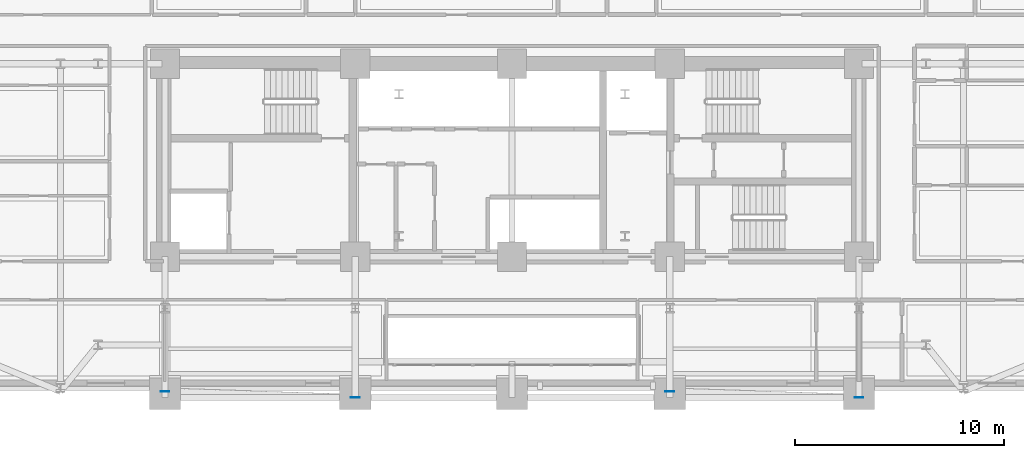
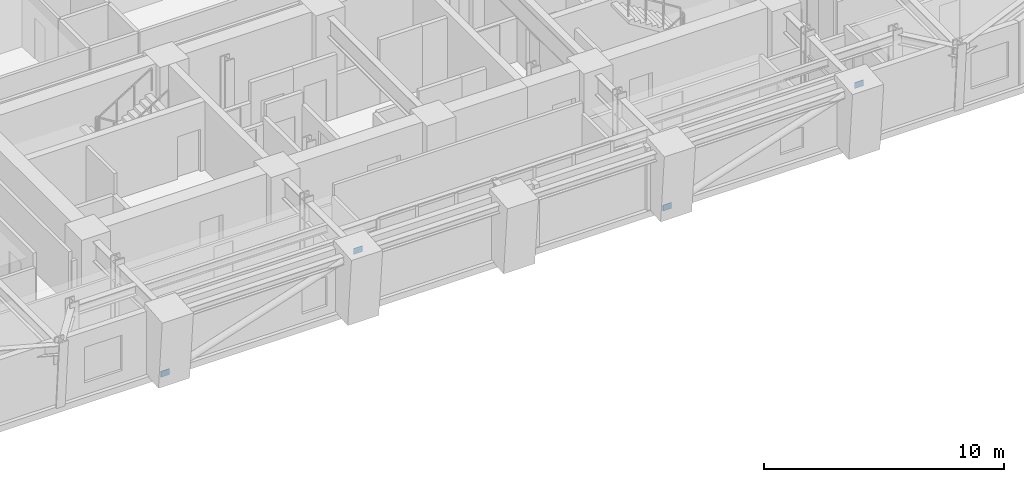
# One storey, part 7 of 16: 4 plates.
"""IFC4 building model written with IfcOpenShell, lengths in metres."""

import ifcopenshell
import ifcopenshell.guid

model = None  # the IFC model being written
_history = None  # IfcOwnerHistory: only IFC2X3 demands one
_inside = {}  # id of a spatial element -> (the spatial element, [elements in it])
_under = {}  # id of a project, library or spatial element -> (it, [spatial elements below it])
_declared = {}  # id of a project -> (the project, [libraries it declares])
_typed = {}  # id of a type object -> (the type object, [elements of that type])
_made_of = {}  # id of a material, layer set ... -> (it, [elements and type objects made of it])


def new_model(schema):
    """Start an empty IFC model of exactly this schema.

    Asked for "IFC4X3", IfcOpenShell would pick the latest addendum, in which some entities
    have other attributes; the version numbers below select the first issue.
    IFC2X3 requires an IfcOwnerHistory on every rooted entity: one is made here for all.
    """
    global model, _history
    if schema == "IFC4X3":
        model = ifcopenshell.file(schema_version=(4, 3, 0, 0))
    else:
        model = ifcopenshell.file(schema=schema)
    _inside.clear()
    _under.clear()
    _declared.clear()
    _typed.clear()
    _made_of.clear()
    _history = None
    if model.schema == "IFC2X3":
        org = make("IfcOrganization", Name="unknown")
        user = make(
            "IfcPersonAndOrganization",
            ThePerson=make("IfcPerson", FamilyName="unknown"),
            TheOrganization=org,
        )
        app = make(
            "IfcApplication",
            ApplicationDeveloper=org,
            Version="unknown",
            ApplicationFullName="unknown",
            ApplicationIdentifier="unknown",
        )
        _history = make(
            "IfcOwnerHistory",
            OwningUser=user,
            OwningApplication=app,
            ChangeAction="ADDED",
            CreationDate=0,
        )
    return model


def make(cls, **values):
    """One entity of the class cls with the attributes given. An attribute that is None is left unset."""
    return model.create_entity(
        cls, **{name: value for name, value in values.items() if value is not None}
    )


def rooted(cls, **values):
    """An entity with a GlobalId (a new one), such as an element, a storey or a relation."""
    return make(cls, GlobalId=ifcopenshell.guid.new(), OwnerHistory=_history, **values)


def si_unit(unit_type, name, prefix=None):
    """IfcSIUnit, for example si_unit("LENGTHUNIT", "METRE", prefix="MILLI")."""
    return make("IfcSIUnit", UnitType=unit_type, Prefix=prefix, Name=name)


def assignment(units):
    """IfcUnitAssignment: the units of a project."""
    return None if units is None else make("IfcUnitAssignment", Units=units)


def point(xyz):
    """IfcCartesianPoint."""
    return None if xyz is None else make("IfcCartesianPoint", Coordinates=xyz)


def direction(xyz):
    """IfcDirection."""
    return None if xyz is None else make("IfcDirection", DirectionRatios=xyz)


def frame(location, z_axis=None, x_axis=None):
    """IfcAxis2Placement3D, a coordinate frame: its origin and axes. An axis left out is left unset."""
    return make(
        "IfcAxis2Placement3D",
        Location=point(location),
        Axis=direction(z_axis),
        RefDirection=direction(x_axis),
    )


def frame_2d(location, x_axis=None):
    """IfcAxis2Placement2D, a coordinate frame in the plane: its origin and x axis."""
    return make(
        "IfcAxis2Placement2D", Location=point(location), RefDirection=direction(x_axis)
    )


def origin():
    """The frame at (0, 0, 0) with its axes left unset."""
    return frame((0.0, 0.0, 0.0))


def origin_2d():
    """The frame at (0, 0) in the plane with its x axis left unset."""
    return frame_2d((0.0, 0.0))


def place(relative_to, where):
    """IfcLocalPlacement: puts the frame where relative to a parent placement (None: the world)."""
    return make(
        "IfcLocalPlacement", PlacementRelTo=relative_to, RelativePlacement=where
    )


def context(
    kind, dimensions, precision=None, world=None, true_north=None, identifier=None
):
    """IfcGeometricRepresentationContext, for example the 3D "Model" context."""
    return make(
        "IfcGeometricRepresentationContext",
        ContextIdentifier=identifier,
        ContextType=kind,
        CoordinateSpaceDimension=dimensions,
        Precision=precision,
        WorldCoordinateSystem=world,
        TrueNorth=true_north,
    )


def subcontext(parent, identifier, kind, view, scale=None):
    """IfcGeometricRepresentationSubContext, for example "Body" below "Model"."""
    return make(
        "IfcGeometricRepresentationSubContext",
        ContextIdentifier=identifier,
        ContextType=kind,
        ParentContext=parent,
        TargetScale=scale,
        TargetView=view,
    )


def project(units=None, contexts=None):
    """IfcProject with its units and contexts."""
    return rooted(
        "IfcProject",
        Name="project",
        RepresentationContexts=contexts,
        UnitsInContext=assignment(units),
    )


def spatial(cls, under=None, at=None, **own):
    """A site, building, storey or space (cls), placed at a placement, below another one or the project."""
    s = rooted(cls, ObjectPlacement=at, **own)
    if under is not None:
        _under.setdefault(under.id(), (under, []))[1].append(s)
    return s


def profile(cls, at=None, kind="AREA", **sizes):
    """A parametric profile (cls). Its sizes go by their IFC names, for example OverallWidth=200.0."""
    return make(cls, ProfileType=kind, Position=at, **sizes)


def rectangle(**sizes):
    """IfcRectangleProfileDef."""
    return profile("IfcRectangleProfileDef", **sizes)


def extrude(swept, where, along, depth):
    """IfcExtrudedAreaSolid: the profile swept, set in the frame where, extruded along a direction by depth."""
    return make(
        "IfcExtrudedAreaSolid",
        SweptArea=swept,
        Position=where,
        ExtrudedDirection=direction(along),
        Depth=depth,
    )


def shape(context_of_items, identifier, shape_type, items):
    """IfcShapeRepresentation: the items that make up one representation, for example the "Body"."""
    return make(
        "IfcShapeRepresentation",
        ContextOfItems=context_of_items,
        RepresentationIdentifier=identifier,
        RepresentationType=shape_type,
        Items=items,
    )


def material(Name=None, Category=None):
    """IfcMaterial."""
    return make("IfcMaterial", Name=Name, Category=Category)


def layer(
    of_material, thickness, ventilated=None, Name=None, Category=None, Priority=None
):
    """IfcMaterialLayer: one layer of a wall or slab, of a material (None: an air gap)."""
    return make(
        "IfcMaterialLayer",
        Material=of_material,
        LayerThickness=thickness,
        IsVentilated=ventilated,
        Name=Name,
        Category=Category,
        Priority=Priority,
    )


def layer_set(layers, Name=None):
    """IfcMaterialLayerSet."""
    return make("IfcMaterialLayerSet", MaterialLayers=layers, LayerSetName=Name)


def made_of(thing, what):
    """Note that an element or type object is made of a material, layer set ...; save() writes the relation."""
    if what is not None:
        _made_of.setdefault(what.id(), (what, []))[1].append(thing)
    return thing


def type_object(cls, material=None, **own):
    """A type object (cls), such as IfcWallType, which elements share."""
    return made_of(rooted(cls, **own), material)


def element(
    cls,
    number,
    at=None,
    inside=None,
    cuts=None,
    type_object=None,
    material=None,
    context=None,
    identifier="Body",
    shape_type=None,
    held_by="IfcProductDefinitionShape",
    body=None,
    shapes=None,
    **own,
):
    """One element of the class cls, such as IfcWall. Its Tag is "e" and its number.

    at: its placement. inside: the storey or other place that contains it. cuts: it is an
    opening in that element (IfcRelVoidsElement). A single representation is given by context,
    identifier, shape_type and body (its items); several are given by shapes. held_by: the class
    of the entity that holds the representations. save() writes the other relations.
    """
    e = rooted(cls, Tag="e%d" % number, ObjectPlacement=at, **own)
    if body is not None:
        shapes = [shape(context, identifier, shape_type, body)]
    if shapes is not None:
        e.Representation = make(held_by, Representations=shapes)
    if inside is not None:
        _inside.setdefault(inside.id(), (inside, []))[1].append(e)
    if cuts is not None:
        rooted(
            "IfcRelVoidsElement", RelatingBuildingElement=cuts, RelatedOpeningElement=e
        )
    if type_object is not None:
        _typed.setdefault(type_object.id(), (type_object, []))[1].append(e)
    return made_of(e, material)


def aggregate(whole, parts):
    """IfcRelAggregates: a whole, such as a stair, and the parts it consists of."""
    return rooted("IfcRelAggregates", RelatingObject=whole, RelatedObjects=parts)


def save(model, path):
    """Write the relations noted so far, then the file.

    IfcRelAggregates (storeys below a building ...), IfcRelContainedInSpatialStructure (elements
    in a storey), IfcRelDefinesByType, IfcRelAssociatesMaterial and IfcRelDeclares: one each for
    every whole, place, type object, material and project.
    """
    for whole, parts in _under.values():
        aggregate(whole, parts)
    for where, things in _inside.values():
        rooted(
            "IfcRelContainedInSpatialStructure",
            RelatedElements=things,
            RelatingStructure=where,
        )
    for kind, things in _typed.values():
        rooted("IfcRelDefinesByType", RelatedObjects=things, RelatingType=kind)
    for what, things in _made_of.values():
        rooted("IfcRelAssociatesMaterial", RelatedObjects=things, RelatingMaterial=what)
    for by, libraries in _declared.values():
        rooted("IfcRelDeclares", RelatingContext=by, RelatedDefinitions=libraries)
    model.write(path)


model = new_model("IFC4")

# Units and contexts
model_context = context("Model", 3, precision=1e-05, world=origin(), true_north=direction((0.0, 1.0)))
body_context = subcontext(model_context, "Body", "Model", "MODEL_VIEW")
ifc_project = project(units=[si_unit("LENGTHUNIT", "METRE"), si_unit("AREAUNIT", "SQUARE_METRE"), si_unit("VOLUMEUNIT", "CUBIC_METRE"), si_unit("PLANEANGLEUNIT", "RADIAN"), si_unit("MASSUNIT", "GRAM", prefix="KILO")], contexts=[model_context])

# Site, building, storey
site_placement = place(None, origin())
site = spatial("IfcSite", under=ifc_project, at=site_placement, CompositionType="ELEMENT")
building_placement = place(site_placement, origin())
building = spatial("IfcBuilding", under=site, at=building_placement, Name="Zarnavel Station Tower", CompositionType="ELEMENT")
storey_placement = place(building_placement, frame((0.0, 0.0, 53.5)))
storey = spatial("IfcBuildingStorey", under=building, at=storey_placement, Name="L14", CompositionType="ELEMENT", Elevation=53.5)

# Plates
ifc_material = material(Name="Steel S460M", Category="steel")
ifc_layer = layer(ifc_material, 0.02490234375)
ifc_layer_set = layer_set([ifc_layer], Name="GP_GUSSET_25")
plate_type = type_object("IfcPlateType", Name="GP_GUSSET_25", PredefinedType="USERDEFINED", material=ifc_layer_set)
for number, where, z_axis, x_axis, name in (
    (1, (12.199951171875, 21.3798828125, -0.14990234375), (0.0, 0.0, 1.0), (1.0, 0.0, 0.0), "L14 Exterior Diagonal Brace End Gusset 1-1"),
    (2, (21.300048828125, 21.086181640625, 3.08984375), (0.0, 0.0, 1.0), (1.0, 0.0, 0.0), "L14 Exterior Diagonal Brace End Gusset 1-2"),
    (3, (36.35009765625, 21.3798828125, -0.14990234375), (0.0, 0.0, 1.0), (1.0, 0.0, 0.0), "L14 Exterior Diagonal Brace End Gusset 2-1"),
    (4, (45.39990234375, 21.086181640625, 3.08984375), (0.0, 0.0, 1.0), (1.0, 0.0, 0.0), "L14 Exterior Diagonal Brace End Gusset 2-2"),
):
    element("IfcPlate", number, at=place(storey_placement, frame(where, z_axis=z_axis, x_axis=x_axis)), inside=storey, type_object=plate_type, Name=name, ObjectType="GUSSET_PLATE", PredefinedType="USERDEFINED", context=body_context, shape_type="SweptSolid", body=[
        extrude(rectangle(XDim=0.419921875, YDim=0.02490234375, at=origin_2d()), origin(), (0.0, 0.0, 1.0), 0.300048828125),
    ])

save(model, "model.ifc")
